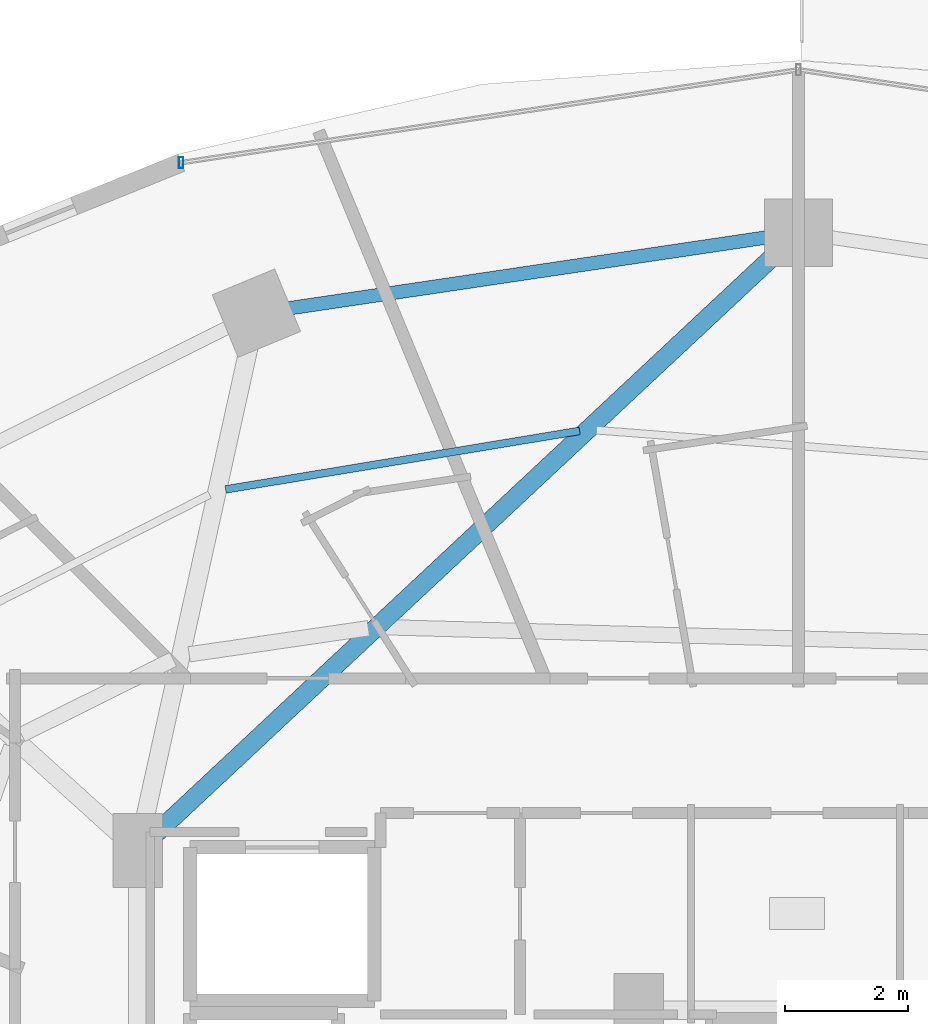
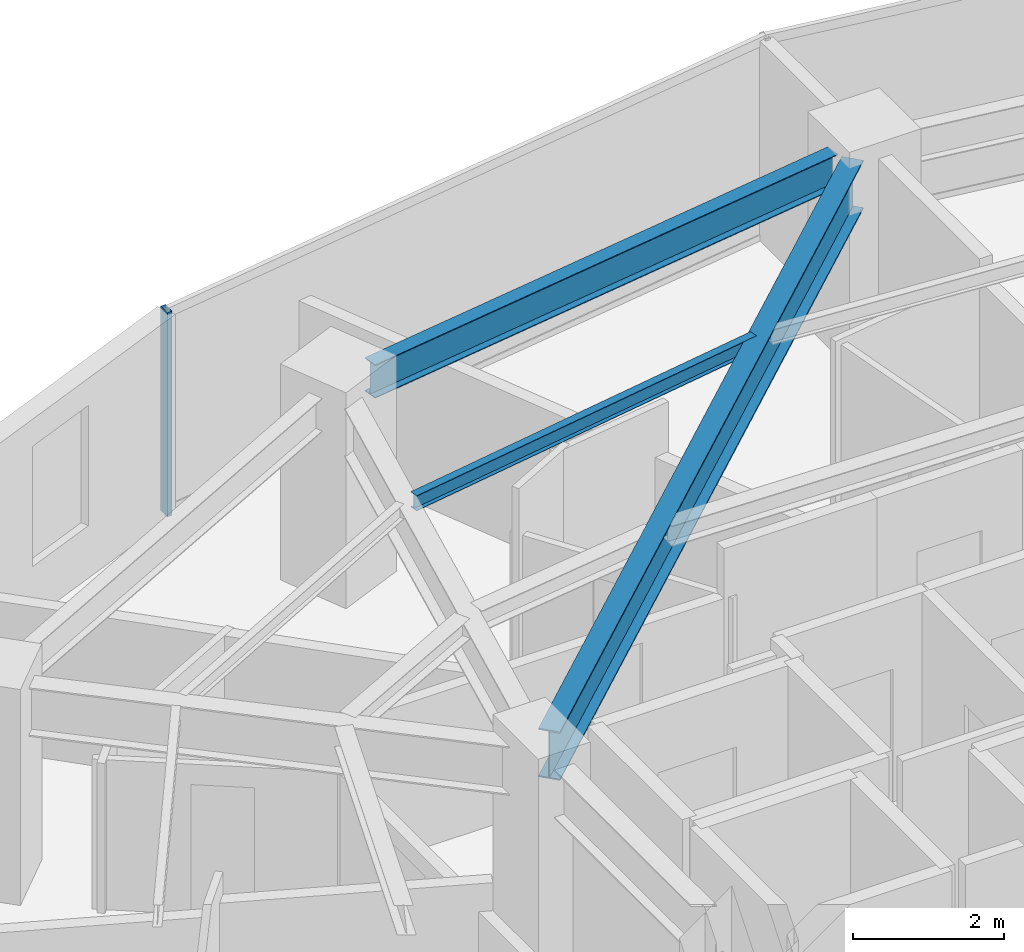
# One storey, part 18 of 30: 3 beams, 1 member, 1 element without a shape of its own.
"""IFC4 building model written with IfcOpenShell, lengths in metres."""

from ifc_helpers import new_model, si_unit, direction, frame, origin, origin_2d, place, context, subcontext, project, spatial, hollow_rectangle, i_section, extrude, material, material_profile, profile_set, type_object, element, aggregate, save


model = new_model("IFC4")

# Units and contexts
model_context = context("Model", 3, precision=1e-05, world=origin(), true_north=direction((0.0, 1.0)))
body_context = subcontext(model_context, "Body", "Model", "MODEL_VIEW")
ifc_project = project(units=[si_unit("LENGTHUNIT", "METRE"), si_unit("AREAUNIT", "SQUARE_METRE"), si_unit("VOLUMEUNIT", "CUBIC_METRE"), si_unit("PLANEANGLEUNIT", "RADIAN"), si_unit("MASSUNIT", "GRAM", prefix="KILO")], contexts=[model_context])

# Site, building, storey
site_placement = place(None, origin())
site = spatial("IfcSite", under=ifc_project, at=site_placement, CompositionType="ELEMENT")
building_placement = place(site_placement, origin())
building = spatial("IfcBuilding", under=site, at=building_placement, Name="Vorneva Point Tower", CompositionType="ELEMENT")
storey_placement = place(building_placement, frame((0.0, 0.0, 106.800048828125)))
storey = spatial("IfcBuildingStorey", under=building, at=storey_placement, Name="L28", CompositionType="ELEMENT", Elevation=106.800048828125)

# Beams
ifc_material_1 = material(Name="Steel S355", Category="steel")
ifc_material_profile_1 = material_profile(ifc_material_1, i_section(OverallWidth=0.300048828125, OverallDepth=0.7880859375, WebThickness=0.014404296875, FlangeThickness=0.02197265625, at=origin_2d()), Name="80Sh1")
ifc_profile_set_1 = profile_set([ifc_material_profile_1], Name="Steel S355")
beam_type_1 = type_object("IfcBeamType", Name="BM-GRD-80Sh1", PredefinedType="USERDEFINED", material=ifc_profile_set_1)
beam_1_placement = place(storey_placement, frame((37.60693359375, 42.83251953125, 2.845947265625), z_axis=(-0.730488863256, -0.682924608327, 0.0), x_axis=(0.682924608327, -0.730488863256, 0.0)))
element("IfcBeam", 1, at=beam_1_placement, inside=storey, type_object=beam_type_1, Name="L28 Radial Primary Girder 05", ObjectType="GIRDER", PredefinedType="USERDEFINED", context=body_context, shape_type="SweptSolid", body=[
    extrude(i_section(OverallWidth=0.300048828125, OverallDepth=0.7880859375, WebThickness=0.014404296875, FlangeThickness=0.02197265625, at=origin_2d()), origin(), (0.0, 0.0, 1.0), 13.838134765625),
])
ifc_material_profile_2 = material_profile(ifc_material_1, i_section(OverallWidth=0.1240234375, OverallDepth=0.248046875, WebThickness=0.0048828125, FlangeThickness=0.008056640625, at=origin_2d()), Name="25B1")
ifc_profile_set_2 = profile_set([ifc_material_profile_2], Name="Steel S355")
beam_type_2 = type_object("IfcBeamType", Name="BM-JST-25B1", PredefinedType="JOIST", material=ifc_profile_set_2)
beam_2_placement = place(storey_placement, frame((34.438232421875, 39.97509765625, 3.115966796875), z_axis=(-0.986607795404, -0.163110570006, 0.0), x_axis=(0.163110570006, -0.986607795404, 0.0)))
element("IfcBeam", 2, at=beam_2_placement, inside=storey, type_object=beam_type_2, Name="L28 Secondary Floor Beam 1.05", PredefinedType="JOIST", context=body_context, shape_type="SweptSolid", body=[
    extrude(i_section(OverallWidth=0.1240234375, OverallDepth=0.248046875, WebThickness=0.0048828125, FlangeThickness=0.008056640625, at=origin_2d()), origin(), (0.0, 0.0, 1.0), 5.8388671875),
])
ifc_material_profile_3 = material_profile(ifc_material_1, i_section(OverallWidth=0.219970703125, OverallDepth=0.54296875, WebThickness=0.009521484375, FlangeThickness=0.013427734375, at=origin_2d()), Name="55B1")
ifc_profile_set_3 = profile_set([ifc_material_profile_3], Name="Steel S355")
beam_type_3 = type_object("IfcBeamType", Name="BM-SPN-55B1", PredefinedType="SPANDREL", material=ifc_profile_set_3)
beam_3_placement = place(storey_placement, frame((37.470703125, 43.121337890625, 2.968505859375), z_axis=(-0.989164507783, -0.146811363806, 0.0), x_axis=(0.146811363806, -0.989164507783, 0.0)))
element("IfcBeam", 3, at=beam_3_placement, inside=storey, type_object=beam_type_3, Name="L28 Perimeter Spandrel Ring Beam 05", PredefinedType="SPANDREL", context=body_context, shape_type="SweptSolid", body=[
    extrude(i_section(OverallWidth=0.219970703125, OverallDepth=0.54296875, WebThickness=0.009521484375, FlangeThickness=0.013427734375, at=origin_2d()), origin(), (0.0, 0.0, 1.0), 7.847412109375),
])

# Curtain wall, member
ifc_material_2 = material(Name="Pale anodised aluminium", Category="aluminium")
curtain_wall_type = type_object("IfcCurtainWallType", Name="CW-HTL-SYS", PredefinedType="NOTDEFINED", material=ifc_material_2)
curtain_wall_placement = place(storey_placement, origin())
curtain_wall = element("IfcCurtainWall", 4, at=curtain_wall_placement, inside=storey, type_object=curtain_wall_type, Name="L28 Unitised Curtain Wall CW-L28-R02", PredefinedType="NOTDEFINED")
ifc_material_profile_4 = material_profile(ifc_material_2, hollow_rectangle(XDim=0.074951171875, YDim=0.179931640625, WallThickness=0.00390625, at=origin_2d()), Name="AL-MUL 180x75x4")
ifc_profile_set_4 = profile_set([ifc_material_profile_4], Name="Pale anodised aluminium")
member_type = type_object("IfcMemberType", Name="CW-MUL-180", PredefinedType="MULLION", material=ifc_profile_set_4)
member_placement = place(storey_placement, frame((27.95458984375, 44.339111328125, -0.0400390625), z_axis=(0.0, 0.0, 1.0), x_axis=(1.0, 0.0, 0.0)))
member = element("IfcMember", 5, at=member_placement, type_object=member_type, Name="CW-L28-R02 Mullion 04", PredefinedType="MULLION", context=body_context, shape_type="SweptSolid", body=[
    extrude(hollow_rectangle(XDim=0.074951171875, YDim=0.179931640625, WallThickness=0.00390625, at=origin_2d()), origin(), (0.0, 0.0, 1.0), 3.31005859375),
])
aggregate(curtain_wall, [member])

save(model, "model.ifc")
